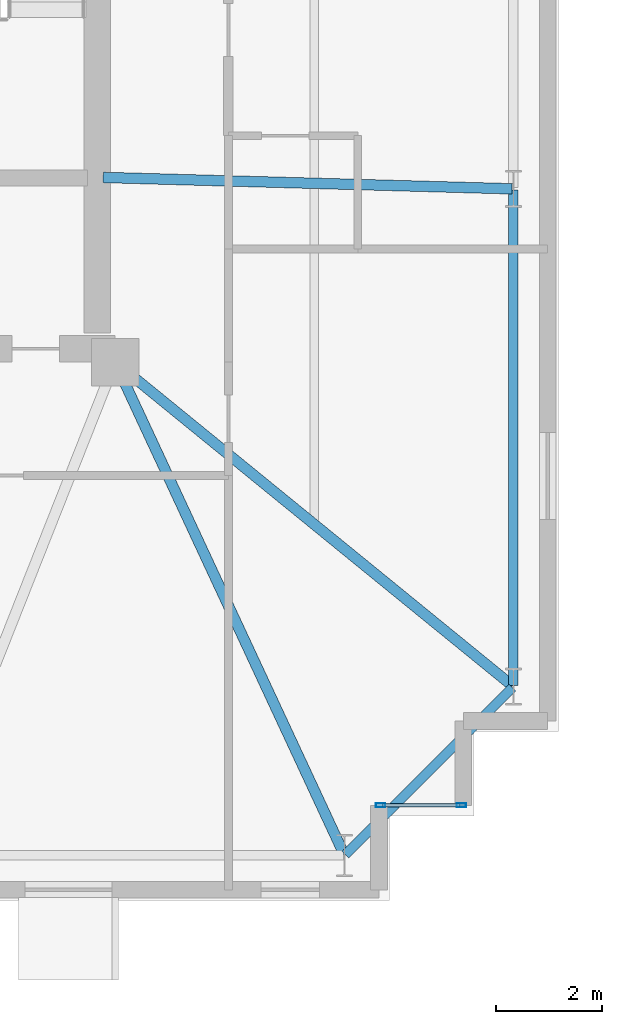
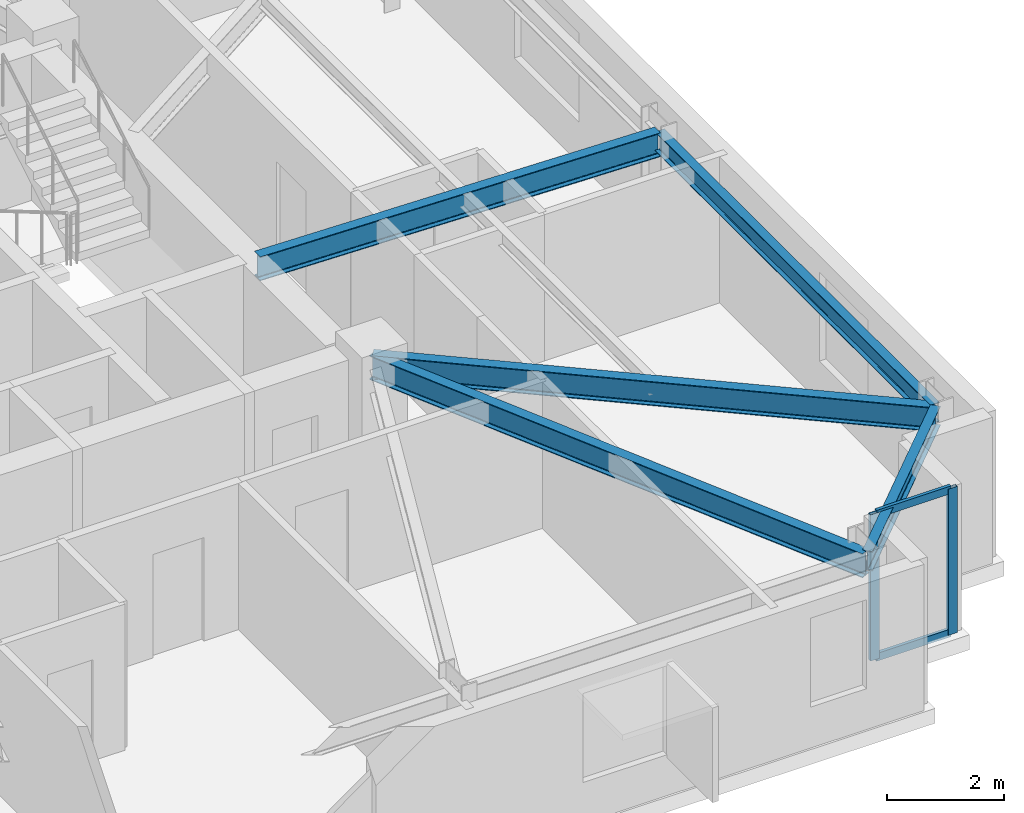
# One storey, part 5 of 18: 5 beams, 4 members, 1 element without a shape of its own.
"""IFC4 building model written with IfcOpenShell, lengths in metres."""

from ifc_helpers import new_model, si_unit, direction, frame, origin, origin_2d, place, context, subcontext, project, spatial, hollow_rectangle, i_section, extrude, material, layer, layer_set, material_profile, profile_set, type_object, element, aggregate, save


model = new_model("IFC4")

# Units and contexts
model_context = context("Model", 3, precision=1e-05, world=origin(), true_north=direction((0.0, 1.0)))
body_context = subcontext(model_context, "Body", "Model", "MODEL_VIEW")
ifc_project = project(units=[si_unit("LENGTHUNIT", "METRE"), si_unit("AREAUNIT", "SQUARE_METRE"), si_unit("VOLUMEUNIT", "CUBIC_METRE"), si_unit("PLANEANGLEUNIT", "RADIAN"), si_unit("MASSUNIT", "GRAM", prefix="KILO")], contexts=[model_context])

# Site, building, storey
site_placement = place(None, origin())
site = spatial("IfcSite", under=ifc_project, at=site_placement, CompositionType="ELEMENT")
building_placement = place(site_placement, origin())
building = spatial("IfcBuilding", under=site, at=building_placement, Name="Qobustan Lattice House", CompositionType="ELEMENT")
storey_placement = place(building_placement, frame((0.0, 0.0, 151.10009765625)))
storey = spatial("IfcBuildingStorey", under=building, at=storey_placement, Name="L42", CompositionType="ELEMENT", Elevation=151.10009765625)

# Beams
ifc_material_1 = material(Name="Steel S355", Category="steel")
ifc_material_profile_1 = material_profile(ifc_material_1, i_section(OverallWidth=0.199951171875, OverallDepth=0.5, WebThickness=0.01025390625, FlangeThickness=0.01611328125, FilletRadius=0.02099609375, at=origin_2d()), Name="IPE500")
ifc_profile_set_1 = profile_set([ifc_material_profile_1], Name="Steel S355")
beam_type_1 = type_object("IfcBeamType", Name="BM-FLG-IPE500", PredefinedType="USERDEFINED", material=ifc_profile_set_1)
beam_1_placement = place(storey_placement, frame((23.139404296875, -14.92724609375, 2.789794921875), z_axis=(-0.421827633168, 0.906676043521, 0.0), x_axis=(-0.906676043521, -0.421827633168, 0.0)))
element("IfcBeam", 1, at=beam_1_placement, inside=storey, type_object=beam_type_1, Name="L42 primary floor girder RAD-S7E", ObjectType="GIRDER", PredefinedType="USERDEFINED", context=body_context, shape_type="SweptSolid", body=[
    extrude(i_section(OverallWidth=0.199951171875, OverallDepth=0.5, WebThickness=0.01025390625, FlangeThickness=0.01611328125, FilletRadius=0.02099609375, at=origin_2d()), origin(), (0.0, 0.0, 1.0), 10.26220703125),
])
beam_2_placement = place(storey_placement, frame((26.324951171875, -2.31591796875, 2.789794921875), z_axis=(-0.999614226396, 0.027774059592, 0.0), x_axis=(-0.027774059592, -0.999614226396, 0.0)))
element("IfcBeam", 2, at=beam_2_placement, inside=storey, type_object=beam_type_1, Name="L42 primary floor girder RAD-E2", ObjectType="GIRDER", PredefinedType="USERDEFINED", context=body_context, shape_type="SweptSolid", body=[
    extrude(i_section(OverallWidth=0.199951171875, OverallDepth=0.5, WebThickness=0.01025390625, FlangeThickness=0.01611328125, FilletRadius=0.02099609375, at=origin_2d()), origin(), (0.0, 0.0, 1.0), 7.7529296875),
])
beam_3_placement = place(storey_placement, frame((26.33056640625, -11.734130859375, 2.789794921875), z_axis=(-0.775328675038, 0.631557951152, 0.0), x_axis=(-0.631557951152, -0.775328675038, 0.0)))
element("IfcBeam", 3, at=beam_3_placement, inside=storey, type_object=beam_type_1, Name="L42 primary floor girder RAD-E1", ObjectType="GIRDER", PredefinedType="USERDEFINED", context=body_context, shape_type="SweptSolid", body=[
    extrude(i_section(OverallWidth=0.199951171875, OverallDepth=0.5, WebThickness=0.01025390625, FlangeThickness=0.01611328125, FilletRadius=0.02099609375, at=origin_2d()), origin(), (0.0, 0.0, 1.0), 9.687744140625),
])
ifc_material_2 = material(Name="Steel S355", Category="steel")
ifc_material_profile_2 = material_profile(ifc_material_2, i_section(OverallWidth=0.179931640625, OverallDepth=0.39990234375, WebThickness=0.008544921875, FlangeThickness=0.013427734375, FilletRadius=0.02099609375, at=origin_2d()), Name="IPE400")
ifc_profile_set_2 = profile_set([ifc_material_profile_2], Name="Steel S355")
beam_type_2 = type_object("IfcBeamType", Name="BM-SPD-IPE400", PredefinedType="SPANDREL", material=ifc_profile_set_2)
beam_4_placement = place(storey_placement, frame((23.167724609375, -14.932373046875, 2.83984375), z_axis=(0.707079505568, 0.707134055753, 0.0), x_axis=(-0.707134055753, 0.707079505568, 0.0)))
element("IfcBeam", 4, at=beam_4_placement, inside=storey, type_object=beam_type_2, Name="L42 perimeter spandrel S7-E1", PredefinedType="SPANDREL", context=body_context, shape_type="SweptSolid", body=[
    extrude(i_section(OverallWidth=0.179931640625, OverallDepth=0.39990234375, WebThickness=0.008544921875, FlangeThickness=0.013427734375, FilletRadius=0.02099609375, at=origin_2d()), origin(), (0.0, 0.0, 1.0), 4.4755859375),
])
beam_5_placement = place(storey_placement, frame((26.35009765625, -11.72509765625, 2.83984375), z_axis=(0.0, 1.0, 0.0), x_axis=(-1.0, 0.0, 0.0)))
element("IfcBeam", 5, at=beam_5_placement, inside=storey, type_object=beam_type_2, Name="L42 perimeter spandrel E1-E2", PredefinedType="SPANDREL", context=body_context, shape_type="SweptSolid", body=[
    extrude(i_section(OverallWidth=0.179931640625, OverallDepth=0.39990234375, WebThickness=0.008544921875, FlangeThickness=0.013427734375, FilletRadius=0.02099609375, at=origin_2d()), origin(), (0.0, 0.0, 1.0), 9.38330078125),
])

# Curtain wall, members
ifc_material_3 = material(Name="Anodised aluminium and low-E glazing", Category="aluminium")
ifc_layer = layer(ifc_material_3, 0.219970703125)
ifc_layer_set = layer_set([ifc_layer], Name="Anodised aluminium and low-E glazing")
curtain_wall_type = type_object("IfcCurtainWallType", Name="CW-FAC-02", PredefinedType="USERDEFINED", material=ifc_layer_set)
curtain_wall_placement = place(storey_placement, origin())
curtain_wall = element("IfcCurtainWall", 6, at=curtain_wall_placement, inside=storey, type_object=curtain_wall_type, Name="L42 serrated corner faceted glazing 18", ObjectType="CURTAIN WALL", PredefinedType="USERDEFINED")
ifc_material_4 = material(Name="Anodised aluminium EN AW-6063 T6", Category="aluminium")
ifc_material_profile_3 = material_profile(ifc_material_4, hollow_rectangle(XDim=0.070068359375, YDim=0.179931640625, WallThickness=0.00439453125, at=origin_2d()), Name="CWM-180x70")
ifc_profile_set_3 = profile_set([ifc_material_profile_3], Name="Anodised aluminium EN AW-6063 T6")
member_type_1 = type_object("IfcMemberType", Name="CWM-STD-180", PredefinedType="MULLION", material=ifc_profile_set_3)
member_1_placement = place(storey_placement, frame((25.364990234375, -14.0, 0.0), z_axis=(0.0, 0.0, 1.0), x_axis=(0.0, -1.0, 0.0)))
member_1 = element("IfcMember", 7, at=member_1_placement, type_object=member_type_1, Name="CW-F2 mullion 1", PredefinedType="MULLION", context=body_context, shape_type="SweptSolid", body=[
    extrude(hollow_rectangle(XDim=0.070068359375, YDim=0.179931640625, WallThickness=0.00439453125, at=origin_2d()), origin(), (0.0, 0.0, 1.0), 3.039794921875),
])
member_2_placement = place(storey_placement, frame((23.8349609375, -14.0, 0.0), z_axis=(0.0, 0.0, 1.0), x_axis=(0.0, -1.0, 0.0)))
member_2 = element("IfcMember", 8, at=member_2_placement, type_object=member_type_1, Name="CW-F2 mullion 2", PredefinedType="MULLION", context=body_context, shape_type="SweptSolid", body=[
    extrude(hollow_rectangle(XDim=0.070068359375, YDim=0.179931640625, WallThickness=0.00439453125, at=origin_2d()), origin(), (0.0, 0.0, 1.0), 3.039794921875),
])
ifc_material_5 = material(Name="Anodised aluminium EN AW-6063 T6", Category="aluminium")
ifc_material_profile_4 = material_profile(ifc_material_5, hollow_rectangle(XDim=0.06494140625, YDim=0.159912109375, WallThickness=0.00390625, at=origin_2d()), Name="CWT-160x65")
ifc_profile_set_4 = profile_set([ifc_material_profile_4], Name="Anodised aluminium EN AW-6063 T6")
member_type_2 = type_object("IfcMemberType", Name="CWT-HOR-160", PredefinedType="USERDEFINED", material=ifc_profile_set_4)
member_3_placement = place(storey_placement, frame((25.330078125, -14.0, 0.032470703125), z_axis=(-1.0, 0.0, 0.0), x_axis=(0.0, -1.0, 0.0)))
member_3 = element("IfcMember", 9, at=member_3_placement, type_object=member_type_2, Name="CW-F2 transom 1.1", ObjectType="TRANSOM", PredefinedType="USERDEFINED", context=body_context, shape_type="SweptSolid", body=[
    extrude(hollow_rectangle(XDim=0.06494140625, YDim=0.159912109375, WallThickness=0.00390625, at=origin_2d()), origin(), (0.0, 0.0, 1.0), 1.4599609375),
])
member_4_placement = place(storey_placement, frame((25.330078125, -14.0, 3.00732421875), z_axis=(-1.0, 0.0, 0.0), x_axis=(0.0, -1.0, 0.0)))
member_4 = element("IfcMember", 10, at=member_4_placement, type_object=member_type_2, Name="CW-F2 transom 1.2", ObjectType="TRANSOM", PredefinedType="USERDEFINED", context=body_context, shape_type="SweptSolid", body=[
    extrude(hollow_rectangle(XDim=0.06494140625, YDim=0.159912109375, WallThickness=0.00390625, at=origin_2d()), origin(), (0.0, 0.0, 1.0), 1.4599609375),
])
aggregate(curtain_wall, [member_1, member_2, member_3, member_4])

save(model, "model.ifc")
